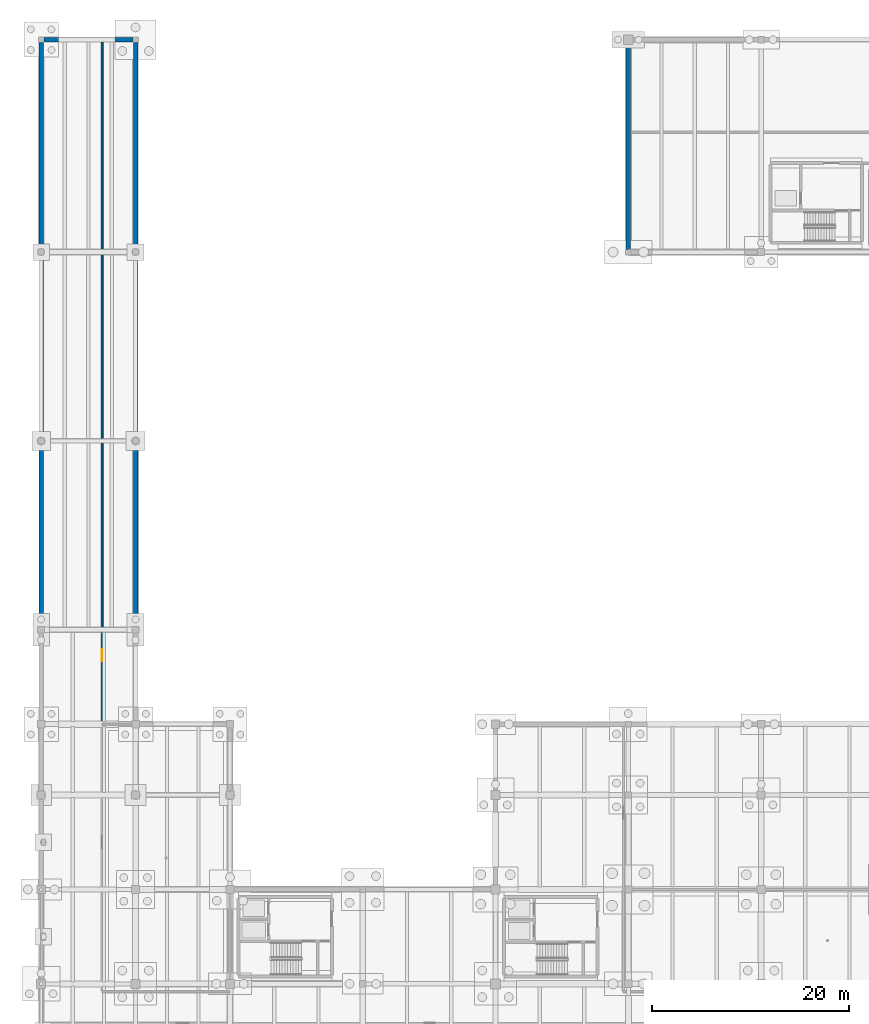
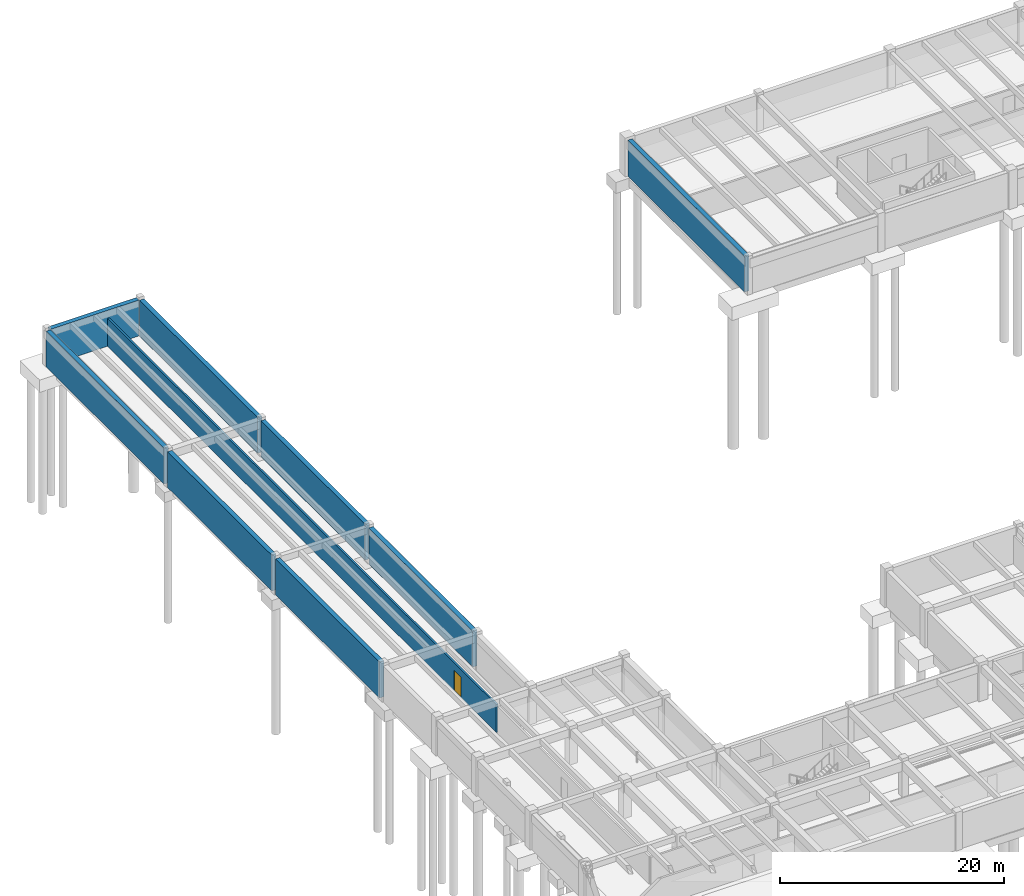
# One storey, part 18 of 41: 9 walls, 1 door, 1 opening.
"""IFC4 building model written with IfcOpenShell, lengths in metres."""

from ifc_helpers import new_model, si_unit, direction, frame, frame_2d, origin, place, context, subcontext, project, spatial, rectangle, extrude, material, layer, layer_set, type_object, element, fill, save


model = new_model("IFC4")

# Units and contexts
model_context = context("Model", 3, precision=1e-05, world=origin(), true_north=direction((0.0, 1.0)))
body_context = subcontext(model_context, "Body", "Model", "MODEL_VIEW")
ifc_project = project(units=[si_unit("LENGTHUNIT", "METRE"), si_unit("AREAUNIT", "SQUARE_METRE"), si_unit("VOLUMEUNIT", "CUBIC_METRE"), si_unit("PLANEANGLEUNIT", "RADIAN"), si_unit("MASSUNIT", "GRAM", prefix="KILO")], contexts=[model_context])

# Site, building, storey
site_placement = place(None, origin())
site = spatial("IfcSite", under=ifc_project, at=site_placement, CompositionType="ELEMENT")
building_placement = place(site_placement, origin())
building = spatial("IfcBuilding", under=site, at=building_placement, Name="Fikremerkos Civic Library", CompositionType="ELEMENT")
storey_placement = place(building_placement, frame((0.0, 0.0, -8.39990234375)))
storey = spatial("IfcBuildingStorey", under=building, at=storey_placement, Name="B02", CompositionType="ELEMENT", Elevation=-8.39990234375)

# Walls
ifc_material_1 = material(Name="Concrete C40/50", Category="concrete")
ifc_layer_1 = layer(ifc_material_1, 0.449951171875, Name="Concrete C40/50")
ifc_layer_set_1 = layer_set([ifc_layer_1], Name="Concrete C40/50")
wall_type_1 = type_object("IfcWallType", Name="Basement retaining wall BRW-01 450", PredefinedType="USERDEFINED", material=ifc_layer_set_1)
wall_1_placement = place(storey_placement, frame((0.0, 57.947998046875, 0.0), z_axis=(0.0, 0.0, 1.0), x_axis=(0.0, 1.0, 0.0)))
element("IfcWall", 1, at=wall_1_placement, inside=storey, type_object=wall_type_1, Name="Basement retaining wall BRW-01 B02 #24", ObjectType="RETAINING WALL", PredefinedType="USERDEFINED", context=body_context, shape_type="SweptSolid", body=[
    extrude(rectangle(XDim=18.529052734375, YDim=0.449951171875, at=frame_2d((9.2646484375, 0.0))), origin(), (0.0, 0.0, 1.0), 3.89990234375),
])
wall_2_placement = place(storey_placement, frame((0.0, 77.123046875, 0.0), z_axis=(0.0, 0.0, 1.0), x_axis=(0.0, 1.0, 0.0)))
element("IfcWall", 2, at=wall_2_placement, inside=storey, type_object=wall_type_1, Name="Basement retaining wall BRW-01 B02 #25", ObjectType="RETAINING WALL", PredefinedType="USERDEFINED", context=body_context, shape_type="SweptSolid", body=[
    extrude(rectangle(XDim=18.578857421875, YDim=0.449951171875, at=frame_2d((9.28955078125, 0.0))), origin(), (0.0, 0.0, 1.0), 3.89990234375),
])
wall_3_placement = place(storey_placement, frame((0.0, 96.298095703125, 0.0), z_axis=(0.0, 0.0, 1.0), x_axis=(0.0, 1.0, 0.0)))
element("IfcWall", 3, at=wall_3_placement, inside=storey, type_object=wall_type_1, Name="Basement retaining wall BRW-01 B02 #26", ObjectType="RETAINING WALL", PredefinedType="USERDEFINED", context=body_context, shape_type="SweptSolid", body=[
    extrude(rectangle(XDim=21.02880859375, YDim=0.449951171875, at=frame_2d((10.514404296875, 0.0))), origin(), (0.0, 0.0, 1.0), 3.89990234375),
])
wall_4_placement = place(storey_placement, frame((0.27294921875, 117.60009765625, 0.0), z_axis=(0.0, 0.0, 1.0), x_axis=(1.0, 0.0, 0.0)))
element("IfcWall", 4, at=wall_4_placement, inside=storey, type_object=wall_type_1, Name="Basement retaining wall BRW-01 B02 #27", ObjectType="RETAINING WALL", PredefinedType="USERDEFINED", context=body_context, shape_type="SweptSolid", body=[
    extrude(rectangle(XDim=9.053955078125, YDim=0.449951171875, at=frame_2d((4.52685546875, 0.0))), origin(), (0.0, 0.0, 1.0), 3.89990234375),
])
wall_5_placement = place(storey_placement, frame((9.60009765625, 117.326904296875, 0.0), z_axis=(0.0, 0.0, 1.0), x_axis=(0.0, -1.0, 0.0)))
element("IfcWall", 5, at=wall_5_placement, inside=storey, type_object=wall_type_1, Name="Basement retaining wall BRW-01 B02 #28", ObjectType="RETAINING WALL", PredefinedType="USERDEFINED", context=body_context, shape_type="SweptSolid", body=[
    extrude(rectangle(XDim=21.02880859375, YDim=0.449951171875, at=frame_2d((10.514404296875, 0.0))), origin(), (0.0, 0.0, 1.0), 3.89990234375),
])
wall_6_placement = place(storey_placement, frame((9.60009765625, 95.701904296875, 0.0), z_axis=(0.0, 0.0, 1.0), x_axis=(0.0, -1.0, 0.0)))
element("IfcWall", 6, at=wall_6_placement, inside=storey, type_object=wall_type_1, Name="Basement retaining wall BRW-01 B02 #29", ObjectType="RETAINING WALL", PredefinedType="USERDEFINED", context=body_context, shape_type="SweptSolid", body=[
    extrude(rectangle(XDim=18.578857421875, YDim=0.449951171875, at=frame_2d((9.28955078125, 0.0))), origin(), (0.0, 0.0, 1.0), 3.89990234375),
])
wall_7_placement = place(storey_placement, frame((9.60009765625, 76.47705078125, 0.0), z_axis=(0.0, 0.0, 1.0), x_axis=(0.0, -1.0, 0.0)))
element("IfcWall", 7, at=wall_7_placement, inside=storey, type_object=wall_type_1, Name="Basement retaining wall BRW-01 B02 #30", ObjectType="RETAINING WALL", PredefinedType="USERDEFINED", context=body_context, shape_type="SweptSolid", body=[
    extrude(rectangle(XDim=18.529052734375, YDim=0.449951171875, at=frame_2d((9.2646484375, 0.0))), origin(), (0.0, 0.0, 1.0), 3.89990234375),
])
wall_8_placement = place(storey_placement, frame((59.699951171875, 96.27294921875, 0.0), z_axis=(0.0, 0.0, 1.0), x_axis=(0.0, 1.0, 0.0)))
element("IfcWall", 8, at=wall_8_placement, inside=storey, type_object=wall_type_1, Name="Basement retaining wall BRW-01 B02 #53", ObjectType="RETAINING WALL", PredefinedType="USERDEFINED", context=body_context, shape_type="SweptSolid", body=[
    extrude(rectangle(XDim=20.8291015625, YDim=0.449951171875, at=frame_2d((10.41455078125, 0.0))), origin(), (0.0, 0.0, 1.0), 3.89990234375),
])

# Wall, opening, door
ifc_material_2 = material(Name="Acoustic concrete blockwork", Category="masonry")
ifc_layer_2 = layer(ifc_material_2, 0.18994140625, Name="Acoustic concrete blockwork")
ifc_layer_set_2 = layer_set([ifc_layer_2], Name="Acoustic concrete blockwork")
wall_type_2 = type_object("IfcWallType", Name="Interior partition wall IPW-01 190", PredefinedType="PARTITIONING", material=ifc_layer_set_2)
wall_9_placement = place(storey_placement, frame((6.199951171875, 48.10498046875, 0.0), z_axis=(0.0, 0.0, 1.0), x_axis=(0.0, 1.0, 0.0)))
wall_9 = element("IfcWall", 9, at=wall_9_placement, inside=storey, type_object=wall_type_2, Name="Interior wall IPW-01 B02 #26", PredefinedType="PARTITIONING", context=body_context, shape_type="SweptSolid", body=[
    extrude(rectangle(XDim=69.26708984375, YDim=0.18994140625, at=frame_2d((34.633544921875, 0.0))), origin(), (0.0, 0.0, 1.0), 3.039794921875),
])
opening_placement = place(wall_9_placement, frame((6.294921875, 0.0, 0.0)))
opening = element("IfcOpeningElement", 10, at=opening_placement, cuts=wall_9, Name="Opening D134", PredefinedType="OPENING", context=body_context, shape_type="SweptSolid", body=[
    extrude(rectangle(XDim=1.199951171875, YDim=2.199951171875, at=frame_2d((0.60009765625, 1.10009765625))), frame((0.0, 0.10498046875, 0.0), z_axis=(0.0, -1.0, 0.0), x_axis=(1.0, 0.0, 0.0)), (0.0, 0.0, 1.0), 0.2099609375),
])
ifc_material_3 = material(Name="Hardwood timber and acoustic glass", Category="wood")
door_type = type_object("IfcDoorType", Name="Pedestrian door DT-06 1200x2200", OperationType="NOTDEFINED", PredefinedType="DOOR", material=ifc_material_3)
door_placement = place(opening_placement, origin())
door = element("IfcDoor", 11, at=door_placement, inside=storey, type_object=door_type, Name="Interior door D134 B02", OperationType="SINGLE_SWING_LEFT", OverallHeight=2.199951171875, OverallWidth=1.199951171875, PredefinedType="DOOR", context=body_context, shape_type="SweptSolid", body=[
    extrude(rectangle(XDim=1.199951171875, YDim=2.199951171875, at=frame_2d((0.60009765625, 1.10009765625))), frame((0.0, 0.032470703125, 0.0), z_axis=(0.0, -1.0, 0.0), x_axis=(1.0, 0.0, 0.0)), (0.0, 0.0, 1.0), 0.06494140625),
])
fill(opening, door)

save(model, "model.ifc")
